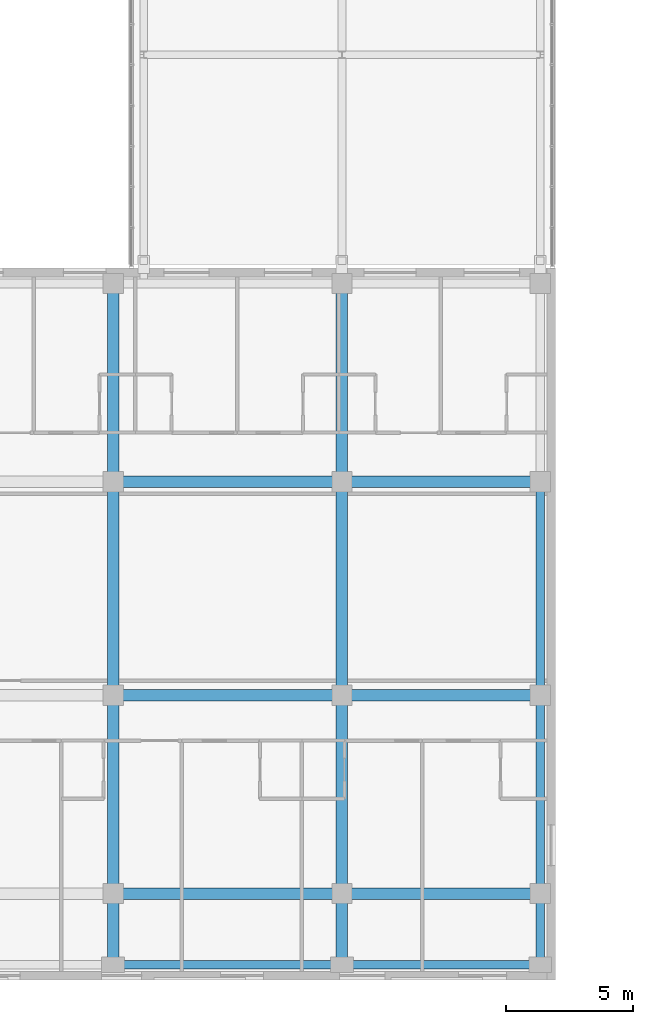
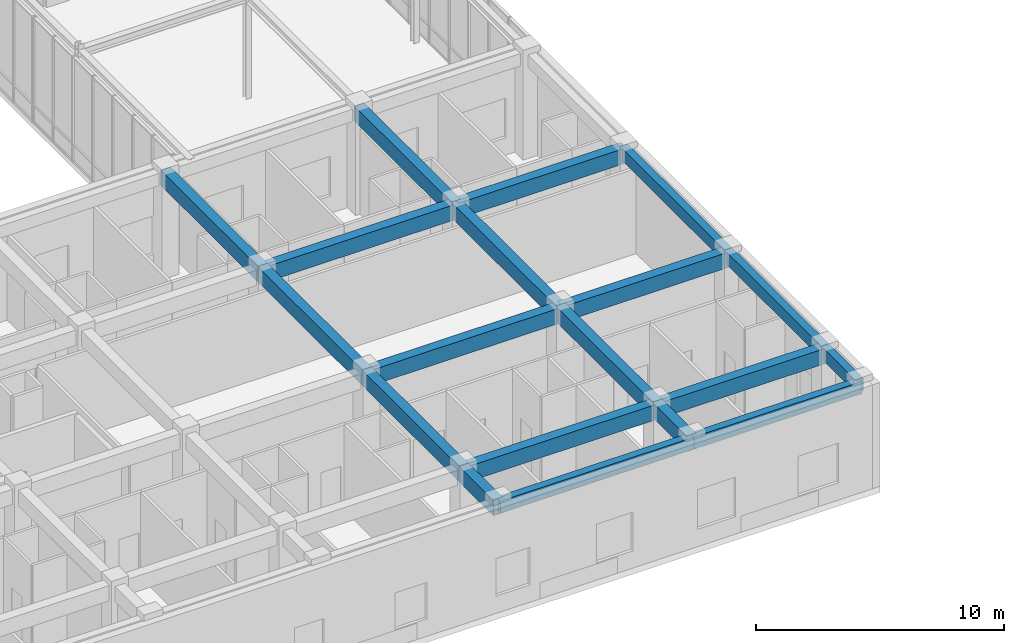
# One storey, part 18 of 139: 19 beams.
"""IFC4 building model written with IfcOpenShell, lengths in metres."""

from ifc_helpers import new_model, si_unit, direction, frame, origin, origin_2d, place, context, subcontext, project, spatial, rectangle, extrude, material, material_profile, profile_set, type_object, element, save


model = new_model("IFC4")

# Units and contexts
model_context = context("Model", 3, precision=1e-05, world=origin(), true_north=direction((0.0, 1.0)))
body_context = subcontext(model_context, "Body", "Model", "MODEL_VIEW")
ifc_project = project(units=[si_unit("LENGTHUNIT", "METRE"), si_unit("AREAUNIT", "SQUARE_METRE"), si_unit("VOLUMEUNIT", "CUBIC_METRE"), si_unit("PLANEANGLEUNIT", "RADIAN"), si_unit("MASSUNIT", "GRAM", prefix="KILO")], contexts=[model_context])

# Site, building, storey
site_placement = place(None, origin())
site = spatial("IfcSite", under=ifc_project, at=site_placement, CompositionType="ELEMENT")
building_placement = place(site_placement, origin())
building = spatial("IfcBuilding", under=site, at=building_placement, Name="Zayran Congress Hotel", CompositionType="ELEMENT")
storey_placement = place(building_placement, frame((0.0, 0.0, 5.39990234375)))
storey = spatial("IfcBuildingStorey", under=building, at=storey_placement, Name="L01", CompositionType="ELEMENT", Elevation=5.39990234375)

# Beams
ifc_material = material(Name="Concrete C40/50", Category="concrete")
ifc_material_profile_1 = material_profile(ifc_material, rectangle(XDim=0.449951171875, YDim=0.75, at=origin_2d()), Name="RC 450x750")
ifc_profile_set_1 = profile_set([ifc_material_profile_1], Name="Concrete C40/50")
beam_type_1 = type_object("IfcBeamType", Name="TP-BM-02", PredefinedType="BEAM", material=ifc_profile_set_1)
beam_1_placement = place(storey_placement, frame((75.0, 9.39990234375, 4.72509765625), z_axis=(1.0, 0.0, 0.0), x_axis=(0.0, 1.0, 0.0)))
element("IfcBeam", 1, at=beam_1_placement, inside=storey, type_object=beam_type_1, Name="BM-V5-L01-1694", PredefinedType="BEAM", context=body_context, shape_type="SweptSolid", body=[
    extrude(rectangle(XDim=0.449951171875, YDim=0.75, at=origin_2d()), origin(), (0.0, 0.0, 1.0), 9.0),
])
beam_2_placement = place(storey_placement, frame((84.0, 9.39990234375, 4.72509765625), z_axis=(1.0, 0.0, 0.0), x_axis=(0.0, 1.0, 0.0)))
element("IfcBeam", 2, at=beam_2_placement, inside=storey, type_object=beam_type_1, Name="BM-V5-L01-1695", PredefinedType="BEAM", context=body_context, shape_type="SweptSolid", body=[
    extrude(rectangle(XDim=0.449951171875, YDim=0.75, at=origin_2d()), origin(), (0.0, 0.0, 1.0), 7.800048828125),
])
beam_3_placement = place(storey_placement, frame((75.0, 17.199951171875, 4.72509765625), z_axis=(1.0, 0.0, 0.0), x_axis=(0.0, 1.0, 0.0)))
element("IfcBeam", 3, at=beam_3_placement, inside=storey, type_object=beam_type_1, Name="BM-V5-L01-1704", PredefinedType="BEAM", context=body_context, shape_type="SweptSolid", body=[
    extrude(rectangle(XDim=0.449951171875, YDim=0.75, at=origin_2d()), origin(), (0.0, 0.0, 1.0), 9.0),
])
beam_4_placement = place(storey_placement, frame((84.0, 17.199951171875, 4.72509765625), z_axis=(1.0, 0.0, 0.0), x_axis=(0.0, 1.0, 0.0)))
element("IfcBeam", 4, at=beam_4_placement, inside=storey, type_object=beam_type_1, Name="BM-V5-L01-1705", PredefinedType="BEAM", context=body_context, shape_type="SweptSolid", body=[
    extrude(rectangle(XDim=0.449951171875, YDim=0.75, at=origin_2d()), origin(), (0.0, 0.0, 1.0), 7.800048828125),
])
beam_5_placement = place(storey_placement, frame((75.0, 25.60009765625, 4.72509765625), z_axis=(1.0, 0.0, 0.0), x_axis=(0.0, 1.0, 0.0)))
element("IfcBeam", 5, at=beam_5_placement, inside=storey, type_object=beam_type_1, Name="BM-V5-L01-1714", PredefinedType="BEAM", context=body_context, shape_type="SweptSolid", body=[
    extrude(rectangle(XDim=0.449951171875, YDim=0.75, at=origin_2d()), origin(), (0.0, 0.0, 1.0), 9.0),
])
beam_6_placement = place(storey_placement, frame((84.0, 25.60009765625, 4.72509765625), z_axis=(1.0, 0.0, 0.0), x_axis=(0.0, 1.0, 0.0)))
element("IfcBeam", 6, at=beam_6_placement, inside=storey, type_object=beam_type_1, Name="BM-V5-L01-1715", PredefinedType="BEAM", context=body_context, shape_type="SweptSolid", body=[
    extrude(rectangle(XDim=0.449951171875, YDim=0.75, at=origin_2d()), origin(), (0.0, 0.0, 1.0), 7.800048828125),
])
beam_7_placement = place(storey_placement, frame((75.0, 6.60009765625, 4.72509765625), z_axis=(0.0, 1.0, 0.0), x_axis=(-1.0, 0.0, 0.0)))
element("IfcBeam", 7, at=beam_7_placement, inside=storey, type_object=beam_type_1, Name="BM-V5-L01-1756", PredefinedType="BEAM", context=body_context, shape_type="SweptSolid", body=[
    extrude(rectangle(XDim=0.449951171875, YDim=0.75, at=origin_2d()), origin(), (0.0, 0.0, 1.0), 2.7998046875),
])
beam_8_placement = place(storey_placement, frame((75.0, 9.39990234375, 4.72509765625), z_axis=(0.0, 1.0, 0.0), x_axis=(-1.0, 0.0, 0.0)))
element("IfcBeam", 8, at=beam_8_placement, inside=storey, type_object=beam_type_1, Name="BM-V5-L01-1757", PredefinedType="BEAM", context=body_context, shape_type="SweptSolid", body=[
    extrude(rectangle(XDim=0.449951171875, YDim=0.75, at=origin_2d()), origin(), (0.0, 0.0, 1.0), 7.800048828125),
])
beam_9_placement = place(storey_placement, frame((75.0, 17.199951171875, 4.72509765625), z_axis=(0.0, 1.0, 0.0), x_axis=(-1.0, 0.0, 0.0)))
element("IfcBeam", 9, at=beam_9_placement, inside=storey, type_object=beam_type_1, Name="BM-V5-L01-1758", PredefinedType="BEAM", context=body_context, shape_type="SweptSolid", body=[
    extrude(rectangle(XDim=0.449951171875, YDim=0.75, at=origin_2d()), origin(), (0.0, 0.0, 1.0), 8.400146484375),
])
beam_10_placement = place(storey_placement, frame((75.0, 25.60009765625, 4.72509765625), z_axis=(0.0, 1.0, 0.0), x_axis=(-1.0, 0.0, 0.0)))
element("IfcBeam", 10, at=beam_10_placement, inside=storey, type_object=beam_type_1, Name="BM-V5-L01-1759", PredefinedType="BEAM", context=body_context, shape_type="SweptSolid", body=[
    extrude(rectangle(XDim=0.449951171875, YDim=0.75, at=origin_2d()), origin(), (0.0, 0.0, 1.0), 7.7998046875),
])
beam_11_placement = place(storey_placement, frame((84.0, 6.60009765625, 4.72509765625), z_axis=(0.0, 1.0, 0.0), x_axis=(-1.0, 0.0, 0.0)))
element("IfcBeam", 11, at=beam_11_placement, inside=storey, type_object=beam_type_1, Name="BM-V5-L01-1760", PredefinedType="BEAM", context=body_context, shape_type="SweptSolid", body=[
    extrude(rectangle(XDim=0.449951171875, YDim=0.75, at=origin_2d()), origin(), (0.0, 0.0, 1.0), 2.7998046875),
])
beam_12_placement = place(storey_placement, frame((84.0, 9.39990234375, 4.72509765625), z_axis=(0.0, 1.0, 0.0), x_axis=(-1.0, 0.0, 0.0)))
element("IfcBeam", 12, at=beam_12_placement, inside=storey, type_object=beam_type_1, Name="BM-V5-L01-1761", PredefinedType="BEAM", context=body_context, shape_type="SweptSolid", body=[
    extrude(rectangle(XDim=0.449951171875, YDim=0.75, at=origin_2d()), origin(), (0.0, 0.0, 1.0), 7.800048828125),
])
beam_13_placement = place(storey_placement, frame((84.0, 17.199951171875, 4.72509765625), z_axis=(0.0, 1.0, 0.0), x_axis=(-1.0, 0.0, 0.0)))
element("IfcBeam", 13, at=beam_13_placement, inside=storey, type_object=beam_type_1, Name="BM-V5-L01-1762", PredefinedType="BEAM", context=body_context, shape_type="SweptSolid", body=[
    extrude(rectangle(XDim=0.449951171875, YDim=0.75, at=origin_2d()), origin(), (0.0, 0.0, 1.0), 8.400146484375),
])
beam_14_placement = place(storey_placement, frame((84.0, 25.60009765625, 4.72509765625), z_axis=(0.0, 1.0, 0.0), x_axis=(-1.0, 0.0, 0.0)))
element("IfcBeam", 14, at=beam_14_placement, inside=storey, type_object=beam_type_1, Name="BM-V5-L01-1763", PredefinedType="BEAM", context=body_context, shape_type="SweptSolid", body=[
    extrude(rectangle(XDim=0.449951171875, YDim=0.75, at=origin_2d()), origin(), (0.0, 0.0, 1.0), 7.7998046875),
])
ifc_material_profile_2 = material_profile(ifc_material, rectangle(XDim=0.35009765625, YDim=0.60009765625, at=origin_2d()), Name="RC 350x600")
ifc_profile_set_2 = profile_set([ifc_material_profile_2], Name="Concrete C40/50")
beam_type_2 = type_object("IfcBeamType", Name="TP-SP-01", PredefinedType="SPANDREL", material=ifc_profile_set_2)
beam_15_placement = place(storey_placement, frame((75.0, 6.60009765625, 4.800048828125), z_axis=(1.0, 0.0, 0.0), x_axis=(0.0, 1.0, 0.0)))
element("IfcBeam", 15, at=beam_15_placement, inside=storey, type_object=beam_type_2, Name="BM-V5-L01-1684", PredefinedType="SPANDREL", context=body_context, shape_type="SweptSolid", body=[
    extrude(rectangle(XDim=0.35009765625, YDim=0.60009765625, at=origin_2d()), origin(), (0.0, 0.0, 1.0), 9.0),
])
beam_16_placement = place(storey_placement, frame((84.0, 6.60009765625, 4.800048828125), z_axis=(1.0, 0.0, 0.0), x_axis=(0.0, 1.0, 0.0)))
element("IfcBeam", 16, at=beam_16_placement, inside=storey, type_object=beam_type_2, Name="BM-V5-L01-1685", PredefinedType="SPANDREL", context=body_context, shape_type="SweptSolid", body=[
    extrude(rectangle(XDim=0.35009765625, YDim=0.60009765625, at=origin_2d()), origin(), (0.0, 0.0, 1.0), 7.800048828125),
])
beam_17_placement = place(storey_placement, frame((91.800048828125, 6.60009765625, 4.800048828125), z_axis=(0.0, 1.0, 0.0), x_axis=(-1.0, 0.0, 0.0)))
element("IfcBeam", 17, at=beam_17_placement, inside=storey, type_object=beam_type_2, Name="BM-V5-L01-1764", PredefinedType="SPANDREL", context=body_context, shape_type="SweptSolid", body=[
    extrude(rectangle(XDim=0.35009765625, YDim=0.60009765625, at=origin_2d()), origin(), (0.0, 0.0, 1.0), 2.7998046875),
])
beam_18_placement = place(storey_placement, frame((91.800048828125, 9.39990234375, 4.800048828125), z_axis=(0.0, 1.0, 0.0), x_axis=(-1.0, 0.0, 0.0)))
element("IfcBeam", 18, at=beam_18_placement, inside=storey, type_object=beam_type_2, Name="BM-V5-L01-1765", PredefinedType="SPANDREL", context=body_context, shape_type="SweptSolid", body=[
    extrude(rectangle(XDim=0.35009765625, YDim=0.60009765625, at=origin_2d()), origin(), (0.0, 0.0, 1.0), 7.800048828125),
])
beam_19_placement = place(storey_placement, frame((91.800048828125, 17.199951171875, 4.800048828125), z_axis=(0.0, 1.0, 0.0), x_axis=(-1.0, 0.0, 0.0)))
element("IfcBeam", 19, at=beam_19_placement, inside=storey, type_object=beam_type_2, Name="BM-V5-L01-1766", PredefinedType="SPANDREL", context=body_context, shape_type="SweptSolid", body=[
    extrude(rectangle(XDim=0.35009765625, YDim=0.60009765625, at=origin_2d()), origin(), (0.0, 0.0, 1.0), 8.400146484375),
])

save(model, "model.ifc")
